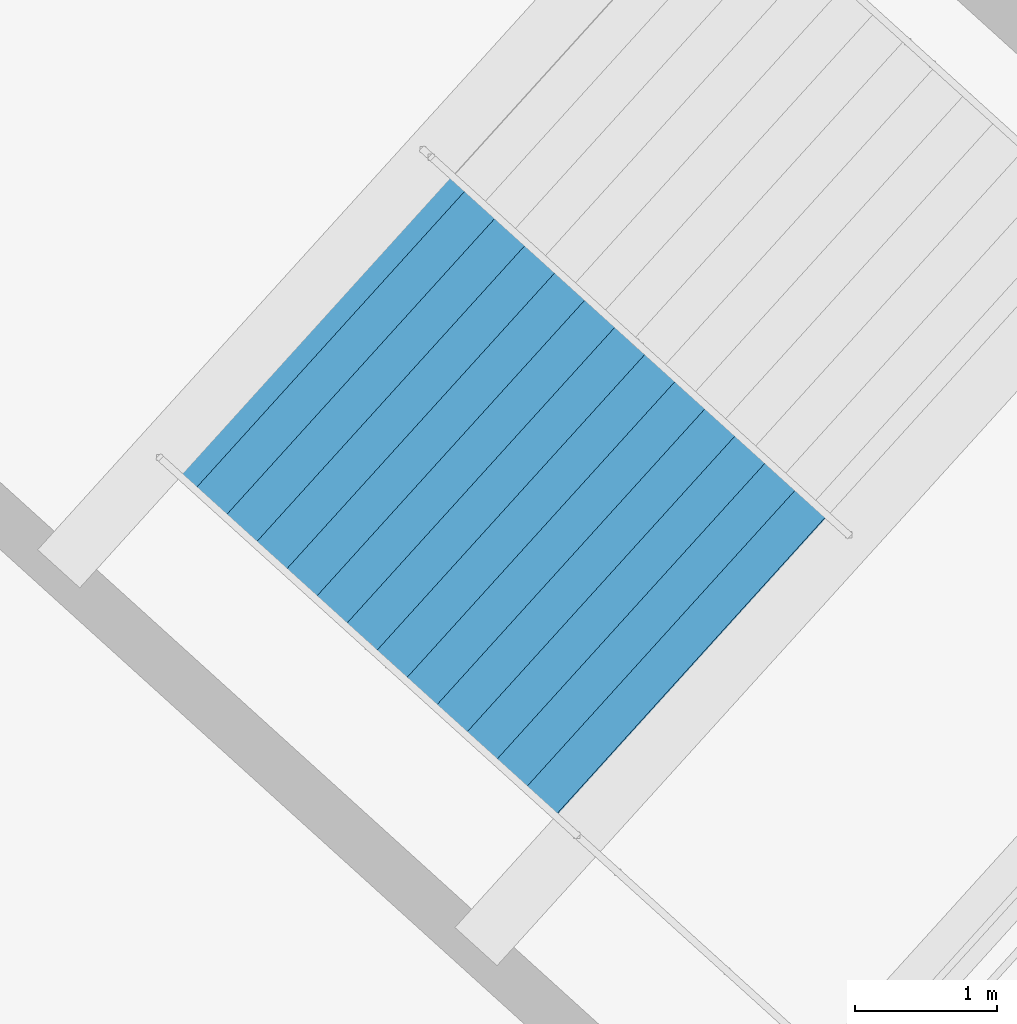
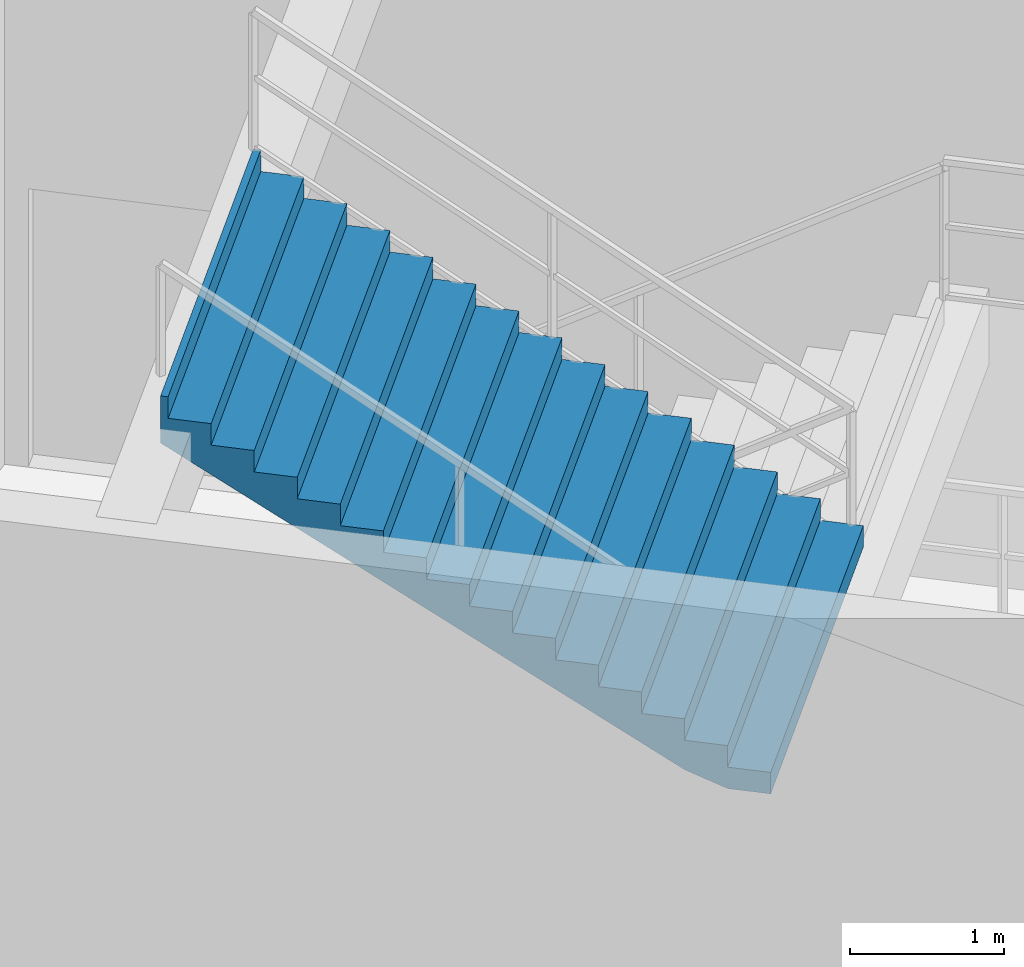
# One storey, part 153 of 184: 1 stair flight, 1 element without a shape of its own.
"""IFC4 building model written with IfcOpenShell, lengths in metres."""

from ifc_helpers import new_model, si_unit, direction, frame, origin, place, context, subcontext, project, spatial, polygons, material, type_object, element, aggregate, save


model = new_model("IFC4")

# Units and contexts
model_context = context("Model", 3, precision=1e-05, world=origin(), true_north=direction((0.0, 1.0)))
body_context = subcontext(model_context, "Body", "Model", "MODEL_VIEW")
ifc_project = project(units=[si_unit("LENGTHUNIT", "METRE"), si_unit("AREAUNIT", "SQUARE_METRE"), si_unit("VOLUMEUNIT", "CUBIC_METRE"), si_unit("PLANEANGLEUNIT", "RADIAN"), si_unit("MASSUNIT", "GRAM", prefix="KILO")], contexts=[model_context])

# Site, building, storey
site_placement = place(None, origin())
site = spatial("IfcSite", under=ifc_project, at=site_placement, CompositionType="ELEMENT")
building_placement = place(site_placement, origin())
building = spatial("IfcBuilding", under=site, at=building_placement, Name="Kazemori Nagisa Stadium", CompositionType="ELEMENT")
storey_placement = place(building_placement, frame((0.0, 0.0, 10.5400390625)))
storey = spatial("IfcBuildingStorey", under=building, at=storey_placement, Name="L02", CompositionType="ELEMENT", Elevation=10.5400390625)

# Stair, stair flight
ifc_material = material(Name="Concrete C36/45 (Fc36)", Category="concrete")
stair_type = type_object("IfcStairType", Name="Stair_CORE_30", PredefinedType="TWO_STRAIGHT_RUN_STAIR", material=ifc_material)
stair_placement = place(storey_placement, origin())
stair = element("IfcStair", 1, at=stair_placement, inside=storey, type_object=stair_type, Name="Exit stair ST03 L02", PredefinedType="TWO_STRAIGHT_RUN_STAIR")
stair_flight_type = type_object("IfcStairFlightType", Name="Flight_CORE_15", PredefinedType="STRAIGHT", material=ifc_material)
stair_flight_placement = place(storey_placement, frame((55.24951171875, 42.78515625, 2.550048828125), z_axis=(0.0, 0.0, 1.0), x_axis=(-0.741328442193, 0.67114241469, 0.0)))
stair_flight = element("IfcStairFlight", 2, at=stair_flight_placement, type_object=stair_flight_type, Name="Exit stair ST03 L02 flight 2", NumberOfRisers=15, NumberOfTreads=14, PredefinedType="STRAIGHT", RiserHeight=0.17, TreadLength=0.285, context=body_context, shape_type="Tessellation", body=[
    polygons([(0.0, -1.425048828125, 0.0), (0.0, -1.425048828125, 0.169921875), (0.284912109375, -1.425048828125, 0.169921875), (0.284912109375, -1.425048828125, 0.340087890625), (0.570068359375, -1.425048828125, 0.340087890625), (0.570068359375, -1.425048828125, 0.510009765625), (0.85498046875, -1.425048828125, 0.510009765625), (0.85498046875, -1.425048828125, 0.679931640625), (1.139892578125, -1.425048828125, 0.679931640625), (1.139892578125, -1.425048828125, 0.85009765625), (1.425048828125, -1.425048828125, 0.85009765625), (1.425048828125, -1.425048828125, 1.02001953125), (1.7099609375, -1.425048828125, 1.02001953125), (1.7099609375, -1.425048828125, 1.18994140625), (1.9951171875, -1.425048828125, 1.18994140625), (1.9951171875, -1.425048828125, 1.360107421875), (2.280029296875, -1.425048828125, 1.360107421875), (2.280029296875, -1.425048828125, 1.530029296875), (2.56494140625, -1.425048828125, 1.530029296875), (2.56494140625, -1.425048828125, 1.699951171875), (2.85009765625, -1.425048828125, 1.699951171875), (2.85009765625, -1.425048828125, 1.8701171875), (3.135009765625, -1.425048828125, 1.8701171875), (3.135009765625, -1.425048828125, 2.0400390625), (3.419921875, -1.425048828125, 2.0400390625), (3.419921875, -1.425048828125, 2.2099609375), (3.705078125, -1.425048828125, 2.2099609375), (3.705078125, -1.425048828125, 2.3798828125), (3.989990234375, -1.425048828125, 2.3798828125), (3.989990234375, -1.425048828125, 2.550048828125), (4.0400390625, -1.425048828125, 2.550048828125), (4.0400390625, -1.425048828125, 2.177001953125), (3.989990234375, -1.425048828125, 2.147216796875), (3.705078125, -1.425048828125, 1.977294921875), (3.419921875, -1.425048828125, 1.80712890625), (3.135009765625, -1.425048828125, 1.63720703125), (2.85009765625, -1.425048828125, 1.46728515625), (2.56494140625, -1.425048828125, 1.297119140625), (2.280029296875, -1.425048828125, 1.127197265625), (1.9951171875, -1.425048828125, 0.957275390625), (1.7099609375, -1.425048828125, 0.787109375), (1.425048828125, -1.425048828125, 0.6171875), (1.139892578125, -1.425048828125, 0.447265625), (0.85498046875, -1.425048828125, 0.277099609375), (0.570068359375, -1.425048828125, 0.107177734375), (0.284912109375, -1.425048828125, 0.0), (0.0, -0.08544921875, 0.0), (0.0, -0.08544921875, 0.169921875), (0.284912109375, -0.08544921875, 0.169921875), (0.284912109375, -0.08544921875, 0.340087890625), (0.570068359375, -0.08544921875, 0.340087890625), (0.570068359375, -0.08544921875, 0.510009765625), (0.85498046875, -0.08544921875, 0.510009765625), (0.85498046875, -0.08544921875, 0.679931640625), (1.139892578125, -0.08544921875, 0.679931640625), (1.139892578125, -0.08544921875, 0.85009765625), (1.425048828125, -0.08544921875, 0.85009765625), (1.425048828125, -0.08544921875, 1.02001953125), (1.7099609375, -0.08544921875, 1.02001953125), (1.7099609375, -0.08544921875, 1.18994140625), (1.9951171875, -0.08544921875, 1.18994140625), (1.9951171875, -0.08544921875, 1.360107421875), (2.280029296875, -0.08544921875, 1.360107421875), (2.280029296875, -0.08544921875, 1.530029296875), (2.56494140625, -0.08544921875, 1.530029296875), (2.56494140625, -0.08544921875, 1.699951171875), (2.85009765625, -0.08544921875, 1.699951171875), (2.85009765625, -0.08544921875, 1.8701171875), (3.135009765625, -0.08544921875, 1.8701171875), (3.135009765625, -0.08544921875, 2.0400390625), (3.419921875, -0.08544921875, 2.0400390625), (3.419921875, -0.08544921875, 2.2099609375), (3.705078125, -0.08544921875, 2.2099609375), (3.705078125, -0.08544921875, 2.3798828125), (3.989990234375, -0.08544921875, 2.3798828125), (3.989990234375, -0.08544921875, 2.550048828125), (4.0400390625, -0.08544921875, 2.550048828125), (4.0400390625, -0.08544921875, 2.177001953125), (3.989990234375, -0.08544921875, 2.147216796875), (3.705078125, -0.08544921875, 1.977294921875), (3.419921875, -0.08544921875, 1.80712890625), (3.135009765625, -0.08544921875, 1.63720703125), (2.85009765625, -0.08544921875, 1.46728515625), (2.56494140625, -0.08544921875, 1.297119140625), (2.280029296875, -0.08544921875, 1.127197265625), (1.9951171875, -0.08544921875, 0.957275390625), (1.7099609375, -0.08544921875, 0.787109375), (1.425048828125, -0.08544921875, 0.6171875), (1.139892578125, -0.08544921875, 0.447265625), (0.85498046875, -0.08544921875, 0.277099609375), (0.570068359375, -0.08544921875, 0.107177734375), (0.284912109375, -0.08544921875, 0.0), (0.0, 0.0, 0.0), (0.0, 0.0, 0.169921875), (0.284912109375, 0.0, 0.169921875), (0.284912109375, 0.0, 0.340087890625), (0.570068359375, 0.0, 0.340087890625), (0.570068359375, 0.0, 0.510009765625), (0.85498046875, 0.0, 0.510009765625), (0.85498046875, 0.0, 0.679931640625), (1.139892578125, 0.0, 0.679931640625), (1.139892578125, 0.0, 0.85009765625), (1.425048828125, 0.0, 0.85009765625), (1.425048828125, 0.0, 1.02001953125), (1.7099609375, 0.0, 1.02001953125), (1.7099609375, 0.0, 1.18994140625), (1.9951171875, 0.0, 1.18994140625), (1.9951171875, 0.0, 1.360107421875), (2.280029296875, 0.0, 1.360107421875), (2.280029296875, 0.0, 1.530029296875), (2.56494140625, 0.0, 1.530029296875), (2.56494140625, 0.0, 1.699951171875), (2.85009765625, 0.0, 1.699951171875), (2.85009765625, 0.0, 1.8701171875), (3.135009765625, 0.0, 1.8701171875), (3.135009765625, 0.0, 2.0400390625), (3.419921875, 0.0, 2.0400390625), (3.419921875, 0.0, 2.2099609375), (3.705078125, 0.0, 2.2099609375), (3.705078125, 0.0, 2.3798828125), (3.989990234375, 0.0, 2.3798828125), (3.989990234375, 0.0, 2.550048828125), (4.0400390625, 0.0, 2.550048828125), (4.0400390625, 0.0, 2.177001953125), (3.989990234375, 0.0, 2.147216796875), (3.705078125, 0.0, 1.977294921875), (3.419921875, 0.0, 1.80712890625), (3.135009765625, 0.0, 1.63720703125), (2.85009765625, 0.0, 1.46728515625), (2.56494140625, 0.0, 1.297119140625), (2.280029296875, 0.0, 1.127197265625), (1.9951171875, 0.0, 0.957275390625), (1.7099609375, 0.0, 0.787109375), (1.425048828125, 0.0, 0.6171875), (1.139892578125, 0.0, 0.447265625), (0.85498046875, 0.0, 0.277099609375), (0.570068359375, 0.0, 0.107177734375), (0.284912109375, 0.0, 0.0), (0.0, 0.08544921875, 0.0), (0.0, 0.08544921875, 0.169921875), (0.284912109375, 0.08544921875, 0.169921875), (0.284912109375, 0.08544921875, 0.340087890625), (0.570068359375, 0.08544921875, 0.340087890625), (0.570068359375, 0.08544921875, 0.510009765625), (0.85498046875, 0.08544921875, 0.510009765625), (0.85498046875, 0.08544921875, 0.679931640625), (1.139892578125, 0.08544921875, 0.679931640625), (1.139892578125, 0.08544921875, 0.85009765625), (1.425048828125, 0.08544921875, 0.85009765625), (1.425048828125, 0.08544921875, 1.02001953125), (1.7099609375, 0.08544921875, 1.02001953125), (1.7099609375, 0.08544921875, 1.18994140625), (1.9951171875, 0.08544921875, 1.18994140625), (1.9951171875, 0.08544921875, 1.360107421875), (2.280029296875, 0.08544921875, 1.360107421875), (2.280029296875, 0.08544921875, 1.530029296875), (2.56494140625, 0.08544921875, 1.530029296875), (2.56494140625, 0.08544921875, 1.699951171875), (2.85009765625, 0.08544921875, 1.699951171875), (2.85009765625, 0.08544921875, 1.8701171875), (3.135009765625, 0.08544921875, 1.8701171875), (3.135009765625, 0.08544921875, 2.0400390625), (3.419921875, 0.08544921875, 2.0400390625), (3.419921875, 0.08544921875, 2.2099609375), (3.705078125, 0.08544921875, 2.2099609375), (3.705078125, 0.08544921875, 2.3798828125), (3.989990234375, 0.08544921875, 2.3798828125), (3.989990234375, 0.08544921875, 2.550048828125), (4.0400390625, 0.08544921875, 2.550048828125), (4.0400390625, 0.08544921875, 2.177001953125), (3.989990234375, 0.08544921875, 2.147216796875), (3.705078125, 0.08544921875, 1.977294921875), (3.419921875, 0.08544921875, 1.80712890625), (3.135009765625, 0.08544921875, 1.63720703125), (2.85009765625, 0.08544921875, 1.46728515625), (2.56494140625, 0.08544921875, 1.297119140625), (2.280029296875, 0.08544921875, 1.127197265625), (1.9951171875, 0.08544921875, 0.957275390625), (1.7099609375, 0.08544921875, 0.787109375), (1.425048828125, 0.08544921875, 0.6171875), (1.139892578125, 0.08544921875, 0.447265625), (0.85498046875, 0.08544921875, 0.277099609375), (0.570068359375, 0.08544921875, 0.107177734375), (0.284912109375, 0.08544921875, 0.0), (0.0, 1.425048828125, 0.0), (0.0, 1.425048828125, 0.169921875), (0.284912109375, 1.425048828125, 0.169921875), (0.284912109375, 1.425048828125, 0.340087890625), (0.570068359375, 1.425048828125, 0.340087890625), (0.570068359375, 1.425048828125, 0.510009765625), (0.85498046875, 1.425048828125, 0.510009765625), (0.85498046875, 1.425048828125, 0.679931640625), (1.139892578125, 1.425048828125, 0.679931640625), (1.139892578125, 1.425048828125, 0.85009765625), (1.425048828125, 1.425048828125, 0.85009765625), (1.425048828125, 1.425048828125, 1.02001953125), (1.7099609375, 1.425048828125, 1.02001953125), (1.7099609375, 1.425048828125, 1.18994140625), (1.9951171875, 1.425048828125, 1.18994140625), (1.9951171875, 1.425048828125, 1.360107421875), (2.280029296875, 1.425048828125, 1.360107421875), (2.280029296875, 1.425048828125, 1.530029296875), (2.56494140625, 1.425048828125, 1.530029296875), (2.56494140625, 1.425048828125, 1.699951171875), (2.85009765625, 1.425048828125, 1.699951171875), (2.85009765625, 1.425048828125, 1.8701171875), (3.135009765625, 1.425048828125, 1.8701171875), (3.135009765625, 1.425048828125, 2.0400390625), (3.419921875, 1.425048828125, 2.0400390625), (3.419921875, 1.425048828125, 2.2099609375), (3.705078125, 1.425048828125, 2.2099609375), (3.705078125, 1.425048828125, 2.3798828125), (3.989990234375, 1.425048828125, 2.3798828125), (3.989990234375, 1.425048828125, 2.550048828125), (4.0400390625, 1.425048828125, 2.550048828125), (4.0400390625, 1.425048828125, 2.177001953125), (3.989990234375, 1.425048828125, 2.147216796875), (3.705078125, 1.425048828125, 1.977294921875), (3.419921875, 1.425048828125, 1.80712890625), (3.135009765625, 1.425048828125, 1.63720703125), (2.85009765625, 1.425048828125, 1.46728515625), (2.56494140625, 1.425048828125, 1.297119140625), (2.280029296875, 1.425048828125, 1.127197265625), (1.9951171875, 1.425048828125, 0.957275390625), (1.7099609375, 1.425048828125, 0.787109375), (1.425048828125, 1.425048828125, 0.6171875), (1.139892578125, 1.425048828125, 0.447265625), (0.85498046875, 1.425048828125, 0.277099609375), (0.570068359375, 1.425048828125, 0.107177734375), (0.284912109375, 1.425048828125, 0.0)], [[[1, 2, 48]], [[1, 48, 47]], [[2, 3, 49]], [[2, 49, 48]], [[3, 4, 50]], [[3, 50, 49]], [[4, 5, 51]], [[4, 51, 50]], [[5, 6, 52]], [[5, 52, 51]], [[6, 7, 53]], [[6, 53, 52]], [[7, 8, 54]], [[7, 54, 53]], [[8, 9, 55]], [[8, 55, 54]], [[9, 10, 56]], [[9, 56, 55]], [[10, 11, 57]], [[10, 57, 56]], [[11, 12, 58]], [[11, 58, 57]], [[12, 13, 59]], [[12, 59, 58]], [[13, 14, 60]], [[13, 60, 59]], [[14, 15, 61]], [[14, 61, 60]], [[15, 16, 62]], [[15, 62, 61]], [[16, 17, 63]], [[16, 63, 62]], [[17, 18, 64]], [[17, 64, 63]], [[18, 19, 65]], [[18, 65, 64]], [[19, 20, 66]], [[19, 66, 65]], [[20, 21, 67]], [[20, 67, 66]], [[21, 22, 68]], [[21, 68, 67]], [[22, 23, 69]], [[22, 69, 68]], [[23, 24, 70]], [[23, 70, 69]], [[24, 25, 71]], [[24, 71, 70]], [[25, 26, 72]], [[25, 72, 71]], [[26, 27, 73]], [[26, 73, 72]], [[27, 28, 74]], [[27, 74, 73]], [[28, 29, 75]], [[28, 75, 74]], [[29, 30, 76]], [[29, 76, 75]], [[30, 31, 77]], [[30, 77, 76]], [[31, 32, 78]], [[31, 78, 77]], [[32, 33, 79]], [[32, 79, 78]], [[33, 34, 80]], [[33, 80, 79]], [[34, 35, 81]], [[34, 81, 80]], [[35, 36, 82]], [[35, 82, 81]], [[36, 37, 83]], [[36, 83, 82]], [[37, 38, 84]], [[37, 84, 83]], [[38, 39, 85]], [[38, 85, 84]], [[39, 40, 86]], [[39, 86, 85]], [[40, 41, 87]], [[40, 87, 86]], [[41, 42, 88]], [[41, 88, 87]], [[42, 43, 89]], [[42, 89, 88]], [[43, 44, 90]], [[43, 90, 89]], [[44, 45, 91]], [[44, 91, 90]], [[45, 46, 92]], [[45, 92, 91]], [[46, 1, 47]], [[46, 47, 92]], [[47, 48, 94]], [[47, 94, 93]], [[48, 49, 95]], [[48, 95, 94]], [[49, 50, 96]], [[49, 96, 95]], [[50, 51, 97]], [[50, 97, 96]], [[51, 52, 98]], [[51, 98, 97]], [[52, 53, 99]], [[52, 99, 98]], [[53, 54, 100]], [[53, 100, 99]], [[54, 55, 101]], [[54, 101, 100]], [[55, 56, 102]], [[55, 102, 101]], [[56, 57, 103]], [[56, 103, 102]], [[57, 58, 104]], [[57, 104, 103]], [[58, 59, 105]], [[58, 105, 104]], [[59, 60, 106]], [[59, 106, 105]], [[60, 61, 107]], [[60, 107, 106]], [[61, 62, 108]], [[61, 108, 107]], [[62, 63, 109]], [[62, 109, 108]], [[63, 64, 110]], [[63, 110, 109]], [[64, 65, 111]], [[64, 111, 110]], [[65, 66, 112]], [[65, 112, 111]], [[66, 67, 113]], [[66, 113, 112]], [[67, 68, 114]], [[67, 114, 113]], [[68, 69, 115]], [[68, 115, 114]], [[69, 70, 116]], [[69, 116, 115]], [[70, 71, 117]], [[70, 117, 116]], [[71, 72, 118]], [[71, 118, 117]], [[72, 73, 119]], [[72, 119, 118]], [[73, 74, 120]], [[73, 120, 119]], [[74, 75, 121]], [[74, 121, 120]], [[75, 76, 122]], [[75, 122, 121]], [[76, 77, 123]], [[76, 123, 122]], [[77, 78, 124]], [[77, 124, 123]], [[78, 79, 125]], [[78, 125, 124]], [[79, 80, 126]], [[79, 126, 125]], [[80, 81, 127]], [[80, 127, 126]], [[81, 82, 128]], [[81, 128, 127]], [[82, 83, 129]], [[82, 129, 128]], [[83, 84, 130]], [[83, 130, 129]], [[84, 85, 131]], [[84, 131, 130]], [[85, 86, 132]], [[85, 132, 131]], [[86, 87, 133]], [[86, 133, 132]], [[87, 88, 134]], [[87, 134, 133]], [[88, 89, 135]], [[88, 135, 134]], [[89, 90, 136]], [[89, 136, 135]], [[90, 91, 137]], [[90, 137, 136]], [[91, 92, 138]], [[91, 138, 137]], [[92, 47, 93]], [[92, 93, 138]], [[93, 94, 140]], [[93, 140, 139]], [[94, 95, 141]], [[94, 141, 140]], [[95, 96, 142]], [[95, 142, 141]], [[96, 97, 143]], [[96, 143, 142]], [[97, 98, 144]], [[97, 144, 143]], [[98, 99, 145]], [[98, 145, 144]], [[99, 100, 146]], [[99, 146, 145]], [[100, 101, 147]], [[100, 147, 146]], [[101, 102, 148]], [[101, 148, 147]], [[102, 103, 149]], [[102, 149, 148]], [[103, 104, 150]], [[103, 150, 149]], [[104, 105, 151]], [[104, 151, 150]], [[105, 106, 152]], [[105, 152, 151]], [[106, 107, 153]], [[106, 153, 152]], [[107, 108, 154]], [[107, 154, 153]], [[108, 109, 155]], [[108, 155, 154]], [[109, 110, 156]], [[109, 156, 155]], [[110, 111, 157]], [[110, 157, 156]], [[111, 112, 158]], [[111, 158, 157]], [[112, 113, 159]], [[112, 159, 158]], [[113, 114, 160]], [[113, 160, 159]], [[114, 115, 161]], [[114, 161, 160]], [[115, 116, 162]], [[115, 162, 161]], [[116, 117, 163]], [[116, 163, 162]], [[117, 118, 164]], [[117, 164, 163]], [[118, 119, 165]], [[118, 165, 164]], [[119, 120, 166]], [[119, 166, 165]], [[120, 121, 167]], [[120, 167, 166]], [[121, 122, 168]], [[121, 168, 167]], [[122, 123, 169]], [[122, 169, 168]], [[123, 124, 170]], [[123, 170, 169]], [[124, 125, 171]], [[124, 171, 170]], [[125, 126, 172]], [[125, 172, 171]], [[126, 127, 173]], [[126, 173, 172]], [[127, 128, 174]], [[127, 174, 173]], [[128, 129, 175]], [[128, 175, 174]], [[129, 130, 176]], [[129, 176, 175]], [[130, 131, 177]], [[130, 177, 176]], [[131, 132, 178]], [[131, 178, 177]], [[132, 133, 179]], [[132, 179, 178]], [[133, 134, 180]], [[133, 180, 179]], [[134, 135, 181]], [[134, 181, 180]], [[135, 136, 182]], [[135, 182, 181]], [[136, 137, 183]], [[136, 183, 182]], [[137, 138, 184]], [[137, 184, 183]], [[138, 93, 139]], [[138, 139, 184]], [[139, 140, 186]], [[139, 186, 185]], [[140, 141, 187]], [[140, 187, 186]], [[141, 142, 188]], [[141, 188, 187]], [[142, 143, 189]], [[142, 189, 188]], [[143, 144, 190]], [[143, 190, 189]], [[144, 145, 191]], [[144, 191, 190]], [[145, 146, 192]], [[145, 192, 191]], [[146, 147, 193]], [[146, 193, 192]], [[147, 148, 194]], [[147, 194, 193]], [[148, 149, 195]], [[148, 195, 194]], [[149, 150, 196]], [[149, 196, 195]], [[150, 151, 197]], [[150, 197, 196]], [[151, 152, 198]], [[151, 198, 197]], [[152, 153, 199]], [[152, 199, 198]], [[153, 154, 200]], [[153, 200, 199]], [[154, 155, 201]], [[154, 201, 200]], [[155, 156, 202]], [[155, 202, 201]], [[156, 157, 203]], [[156, 203, 202]], [[157, 158, 204]], [[157, 204, 203]], [[158, 159, 205]], [[158, 205, 204]], [[159, 160, 206]], [[159, 206, 205]], [[160, 161, 207]], [[160, 207, 206]], [[161, 162, 208]], [[161, 208, 207]], [[162, 163, 209]], [[162, 209, 208]], [[163, 164, 210]], [[163, 210, 209]], [[164, 165, 211]], [[164, 211, 210]], [[165, 166, 212]], [[165, 212, 211]], [[166, 167, 213]], [[166, 213, 212]], [[167, 168, 214]], [[167, 214, 213]], [[168, 169, 215]], [[168, 215, 214]], [[169, 170, 216]], [[169, 216, 215]], [[170, 171, 217]], [[170, 217, 216]], [[171, 172, 218]], [[171, 218, 217]], [[172, 173, 219]], [[172, 219, 218]], [[173, 174, 220]], [[173, 220, 219]], [[174, 175, 221]], [[174, 221, 220]], [[175, 176, 222]], [[175, 222, 221]], [[176, 177, 223]], [[176, 223, 222]], [[177, 178, 224]], [[177, 224, 223]], [[178, 179, 225]], [[178, 225, 224]], [[179, 180, 226]], [[179, 226, 225]], [[180, 181, 227]], [[180, 227, 226]], [[181, 182, 228]], [[181, 228, 227]], [[182, 183, 229]], [[182, 229, 228]], [[183, 184, 230]], [[183, 230, 229]], [[184, 139, 185]], [[184, 185, 230]], [[3, 2, 1]], [[185, 186, 187]], [[46, 3, 1]], [[185, 187, 230]], [[45, 3, 46]], [[230, 187, 229]], [[5, 3, 45]], [[229, 187, 189]], [[5, 4, 3]], [[187, 188, 189]], [[44, 5, 45]], [[229, 189, 228]], [[7, 5, 44]], [[228, 189, 191]], [[7, 6, 5]], [[189, 190, 191]], [[43, 7, 44]], [[228, 191, 227]], [[9, 7, 43]], [[227, 191, 193]], [[9, 8, 7]], [[191, 192, 193]], [[42, 9, 43]], [[227, 193, 226]], [[11, 9, 42]], [[226, 193, 195]], [[11, 10, 9]], [[193, 194, 195]], [[41, 11, 42]], [[226, 195, 225]], [[13, 11, 41]], [[225, 195, 197]], [[13, 12, 11]], [[195, 196, 197]], [[40, 13, 41]], [[225, 197, 224]], [[15, 13, 40]], [[224, 197, 199]], [[15, 14, 13]], [[197, 198, 199]], [[39, 15, 40]], [[224, 199, 223]], [[17, 15, 39]], [[223, 199, 201]], [[17, 16, 15]], [[199, 200, 201]], [[38, 17, 39]], [[223, 201, 222]], [[19, 17, 38]], [[222, 201, 203]], [[19, 18, 17]], [[201, 202, 203]], [[37, 19, 38]], [[222, 203, 221]], [[21, 19, 37]], [[221, 203, 205]], [[21, 20, 19]], [[203, 204, 205]], [[36, 21, 37]], [[221, 205, 220]], [[23, 21, 36]], [[220, 205, 207]], [[23, 22, 21]], [[205, 206, 207]], [[35, 23, 36]], [[220, 207, 219]], [[25, 23, 35]], [[219, 207, 209]], [[25, 24, 23]], [[207, 208, 209]], [[34, 25, 35]], [[219, 209, 218]], [[27, 25, 34]], [[218, 209, 211]], [[27, 26, 25]], [[209, 210, 211]], [[33, 27, 34]], [[218, 211, 217]], [[29, 27, 33]], [[217, 211, 213]], [[29, 28, 27]], [[211, 212, 213]], [[32, 29, 33]], [[217, 213, 216]], [[31, 29, 32]], [[216, 213, 215]], [[31, 30, 29]], [[213, 214, 215]]], closed=True),
])
aggregate(stair, [stair_flight])

save(model, "model.ifc")
